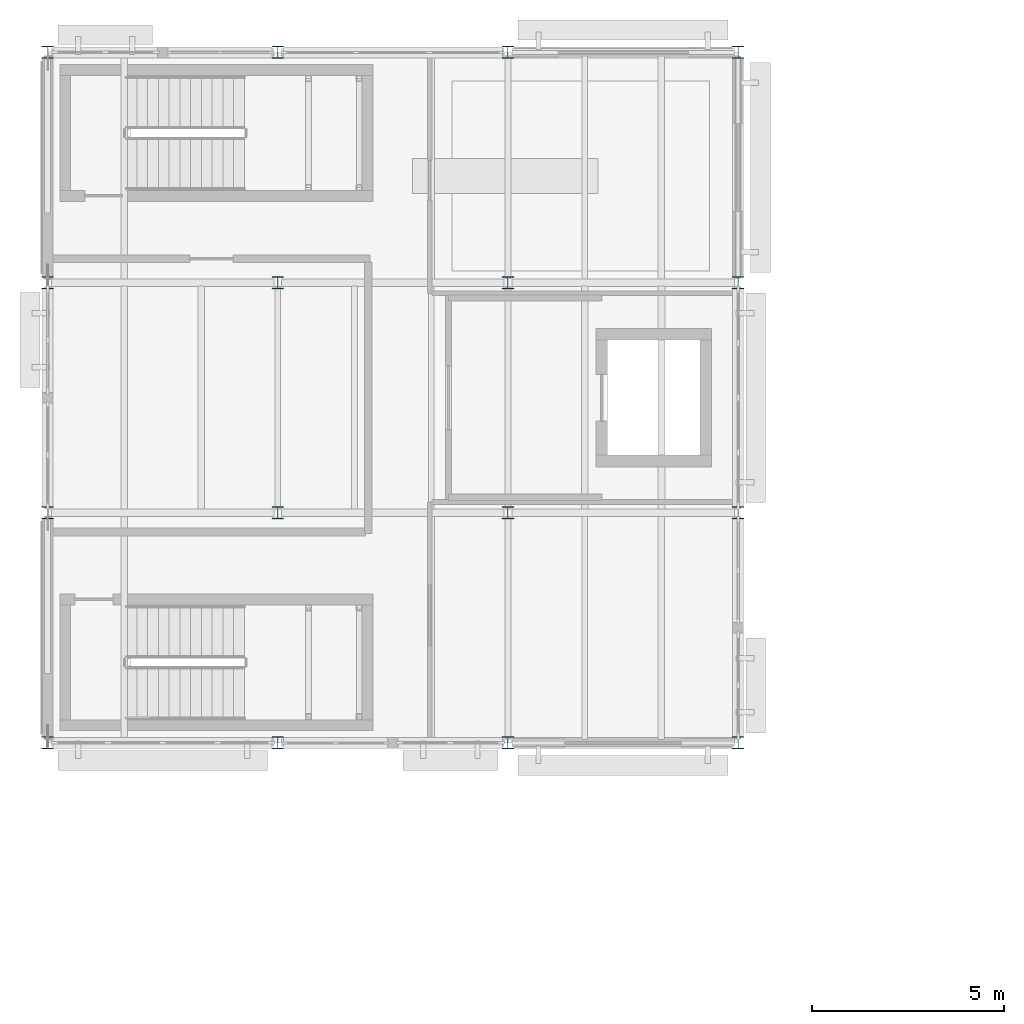
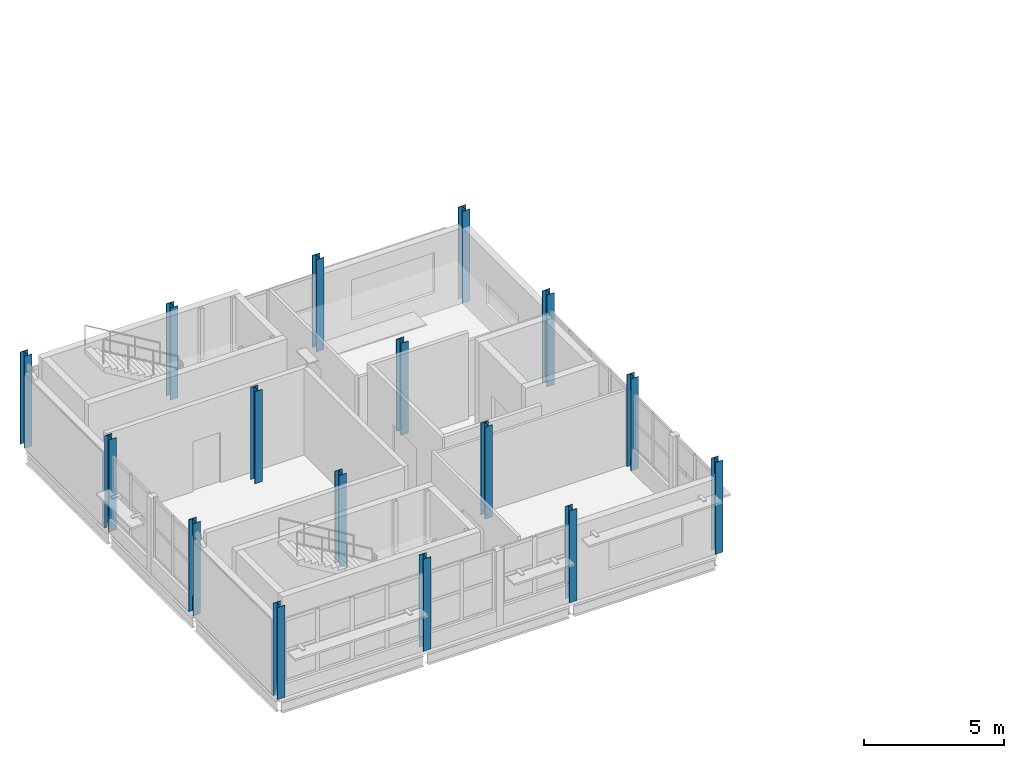
# One storey, part 1 of 23: 16 columns.
"""IFC4 building model written with IfcOpenShell, lengths in metres."""

from ifc_helpers import new_model, si_unit, direction, frame, origin, origin_2d, place, context, subcontext, project, spatial, i_section, extrude, material, material_profile, profile_set, type_object, element, save


model = new_model("IFC4")

# Units and contexts
model_context = context("Model", 3, precision=1e-05, world=origin(), true_north=direction((0.0, 1.0)))
body_context = subcontext(model_context, "Body", "Model", "MODEL_VIEW")
ifc_project = project(units=[si_unit("LENGTHUNIT", "METRE"), si_unit("AREAUNIT", "SQUARE_METRE"), si_unit("VOLUMEUNIT", "CUBIC_METRE"), si_unit("PLANEANGLEUNIT", "RADIAN"), si_unit("MASSUNIT", "GRAM", prefix="KILO")], contexts=[model_context])

# Site, building, storey
site_placement = place(None, origin())
site = spatial("IfcSite", under=ifc_project, at=site_placement, CompositionType="ELEMENT")
building_placement = place(site_placement, origin())
building = spatial("IfcBuilding", under=site, at=building_placement, Name="Siltcreek Boulevard Central Fire Station", CompositionType="ELEMENT")
storey_placement = place(building_placement, frame((0.0, 0.0, 14.0)))
storey = spatial("IfcBuildingStorey", under=building, at=storey_placement, Name="L04", CompositionType="ELEMENT", Elevation=14.0)

# Columns
ifc_material = material(Name="Structural steel ASTM A992 Gr50", Category="steel")
ifc_material_profile = material_profile(ifc_material, i_section(OverallWidth=0.30908203125, OverallDepth=0.322998046875, WebThickness=0.01318359375, FlangeThickness=0.02294921875, at=origin_2d()), Name="W310X143")
ifc_profile_set = profile_set([ifc_material_profile], Name="Structural steel ASTM A992 Gr50")
column_type = type_object("IfcColumnType", Name="COL_W310X143", PredefinedType="COLUMN", material=ifc_profile_set)
for number, where, z_axis, x_axis, name in (
    (1, (42.0, 94.199951171875, 0.0), (0.0, 0.0, 1.0), (1.0, 0.0, 0.0), "L04 structural column COLG-L04-420-942"),
    (2, (42.0, 100.199951171875, 0.0), (0.0, 0.0, 1.0), (1.0, 0.0, 0.0), "L04 structural column COLG-L04-420-1002"),
    (3, (42.0, 106.199951171875, 0.0), (0.0, 0.0, 1.0), (1.0, 0.0, 0.0), "L04 structural column COLG-L04-420-1062"),
    (4, (42.0, 112.199951171875, 0.0), (0.0, 0.0, 1.0), (1.0, 0.0, 0.0), "L04 structural column COLG-L04-420-1122"),
    (5, (48.0, 94.199951171875, 0.0), (0.0, 0.0, 1.0), (1.0, 0.0, 0.0), "L04 structural column COLG-L04-480-942"),
    (6, (48.0, 100.199951171875, 0.0), (0.0, 0.0, 1.0), (1.0, 0.0, 0.0), "L04 structural column COLG-L04-480-1002"),
    (7, (48.0, 106.199951171875, 0.0), (0.0, 0.0, 1.0), (1.0, 0.0, 0.0), "L04 structural column COLG-L04-480-1062"),
    (8, (48.0, 112.199951171875, 0.0), (0.0, 0.0, 1.0), (1.0, 0.0, 0.0), "L04 structural column COLG-L04-480-1122"),
    (9, (54.0, 94.199951171875, 0.0), (0.0, 0.0, 1.0), (1.0, 0.0, 0.0), "L04 structural column COLG-L04-540-942"),
    (10, (54.0, 100.199951171875, 0.0), (0.0, 0.0, 1.0), (1.0, 0.0, 0.0), "L04 structural column COLG-L04-540-1002"),
    (11, (54.0, 106.199951171875, 0.0), (0.0, 0.0, 1.0), (1.0, 0.0, 0.0), "L04 structural column COLG-L04-540-1062"),
    (12, (54.0, 112.199951171875, 0.0), (0.0, 0.0, 1.0), (1.0, 0.0, 0.0), "L04 structural column COLG-L04-540-1122"),
    (13, (60.0, 94.199951171875, 0.0), (0.0, 0.0, 1.0), (1.0, 0.0, 0.0), "L04 structural column COLG-L04-600-942"),
    (14, (60.0, 100.199951171875, 0.0), (0.0, 0.0, 1.0), (1.0, 0.0, 0.0), "L04 structural column COLG-L04-600-1002"),
    (15, (60.0, 106.199951171875, 0.0), (0.0, 0.0, 1.0), (1.0, 0.0, 0.0), "L04 structural column COLG-L04-600-1062"),
    (16, (60.0, 112.199951171875, 0.0), (0.0, 0.0, 1.0), (1.0, 0.0, 0.0), "L04 structural column COLG-L04-600-1122"),
):
    element("IfcColumn", number, at=place(storey_placement, frame(where, z_axis=z_axis, x_axis=x_axis)), inside=storey, type_object=column_type, Name=name, PredefinedType="COLUMN", context=body_context, shape_type="SweptSolid", body=[
        extrude(i_section(OverallWidth=0.30908203125, OverallDepth=0.322998046875, WebThickness=0.01318359375, FlangeThickness=0.02294921875, at=origin_2d()), origin(), (0.0, 0.0, 1.0), 4.0),
    ])

save(model, "model.ifc")
